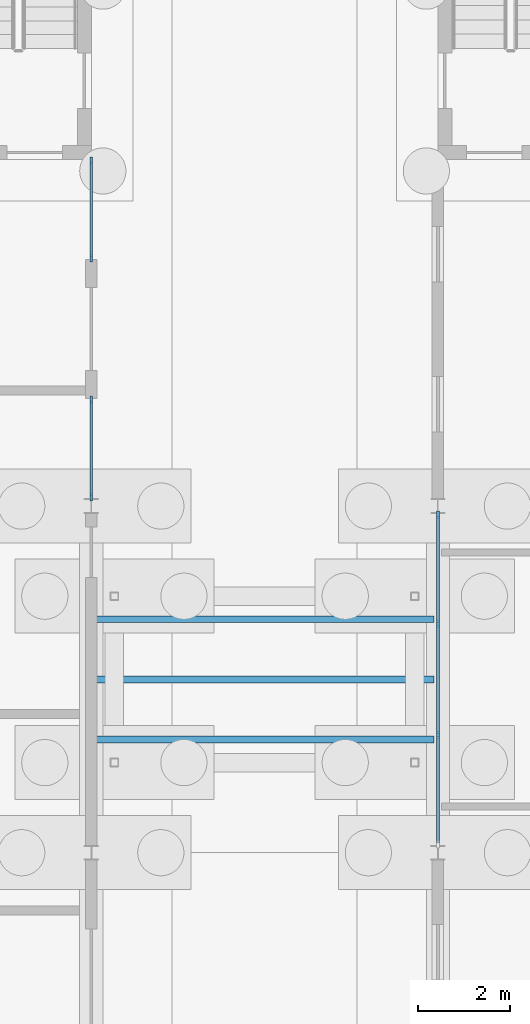
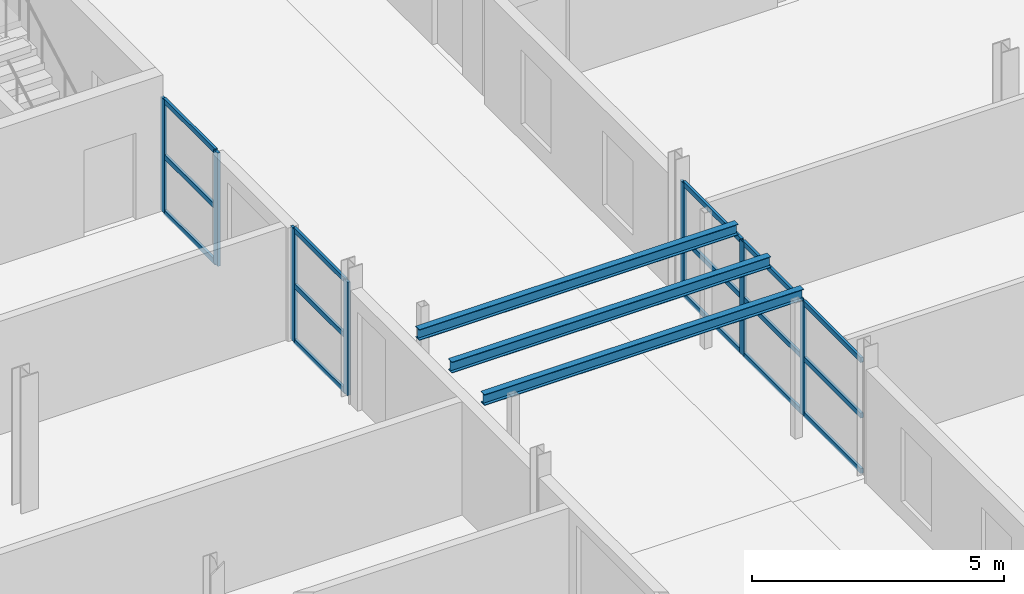
# One storey, part 57 of 130: 22 members, 3 beams, 3 elements without a shape of their own.
"""IFC4 building model written with IfcOpenShell, lengths in metres."""

import ifcopenshell
import ifcopenshell.guid

model = None  # the IFC model being written
_history = None  # IfcOwnerHistory: only IFC2X3 demands one
_inside = {}  # id of a spatial element -> (the spatial element, [elements in it])
_under = {}  # id of a project, library or spatial element -> (it, [spatial elements below it])
_declared = {}  # id of a project -> (the project, [libraries it declares])
_typed = {}  # id of a type object -> (the type object, [elements of that type])
_made_of = {}  # id of a material, layer set ... -> (it, [elements and type objects made of it])


def new_model(schema):
    """Start an empty IFC model of exactly this schema.

    Asked for "IFC4X3", IfcOpenShell would pick the latest addendum, in which some entities
    have other attributes; the version numbers below select the first issue.
    IFC2X3 requires an IfcOwnerHistory on every rooted entity: one is made here for all.
    """
    global model, _history
    if schema == "IFC4X3":
        model = ifcopenshell.file(schema_version=(4, 3, 0, 0))
    else:
        model = ifcopenshell.file(schema=schema)
    _inside.clear()
    _under.clear()
    _declared.clear()
    _typed.clear()
    _made_of.clear()
    _history = None
    if model.schema == "IFC2X3":
        org = make("IfcOrganization", Name="unknown")
        user = make(
            "IfcPersonAndOrganization",
            ThePerson=make("IfcPerson", FamilyName="unknown"),
            TheOrganization=org,
        )
        app = make(
            "IfcApplication",
            ApplicationDeveloper=org,
            Version="unknown",
            ApplicationFullName="unknown",
            ApplicationIdentifier="unknown",
        )
        _history = make(
            "IfcOwnerHistory",
            OwningUser=user,
            OwningApplication=app,
            ChangeAction="ADDED",
            CreationDate=0,
        )
    return model


def make(cls, **values):
    """One entity of the class cls with the attributes given. An attribute that is None is left unset."""
    return model.create_entity(
        cls, **{name: value for name, value in values.items() if value is not None}
    )


def rooted(cls, **values):
    """An entity with a GlobalId (a new one), such as an element, a storey or a relation."""
    return make(cls, GlobalId=ifcopenshell.guid.new(), OwnerHistory=_history, **values)


def si_unit(unit_type, name, prefix=None):
    """IfcSIUnit, for example si_unit("LENGTHUNIT", "METRE", prefix="MILLI")."""
    return make("IfcSIUnit", UnitType=unit_type, Prefix=prefix, Name=name)


def assignment(units):
    """IfcUnitAssignment: the units of a project."""
    return None if units is None else make("IfcUnitAssignment", Units=units)


def point(xyz):
    """IfcCartesianPoint."""
    return None if xyz is None else make("IfcCartesianPoint", Coordinates=xyz)


def direction(xyz):
    """IfcDirection."""
    return None if xyz is None else make("IfcDirection", DirectionRatios=xyz)


def frame(location, z_axis=None, x_axis=None):
    """IfcAxis2Placement3D, a coordinate frame: its origin and axes. An axis left out is left unset."""
    return make(
        "IfcAxis2Placement3D",
        Location=point(location),
        Axis=direction(z_axis),
        RefDirection=direction(x_axis),
    )


def frame_2d(location, x_axis=None):
    """IfcAxis2Placement2D, a coordinate frame in the plane: its origin and x axis."""
    return make(
        "IfcAxis2Placement2D", Location=point(location), RefDirection=direction(x_axis)
    )


def origin():
    """The frame at (0, 0, 0) with its axes left unset."""
    return frame((0.0, 0.0, 0.0))


def origin_2d():
    """The frame at (0, 0) in the plane with its x axis left unset."""
    return frame_2d((0.0, 0.0))


def place(relative_to, where):
    """IfcLocalPlacement: puts the frame where relative to a parent placement (None: the world)."""
    return make(
        "IfcLocalPlacement", PlacementRelTo=relative_to, RelativePlacement=where
    )


def context(
    kind, dimensions, precision=None, world=None, true_north=None, identifier=None
):
    """IfcGeometricRepresentationContext, for example the 3D "Model" context."""
    return make(
        "IfcGeometricRepresentationContext",
        ContextIdentifier=identifier,
        ContextType=kind,
        CoordinateSpaceDimension=dimensions,
        Precision=precision,
        WorldCoordinateSystem=world,
        TrueNorth=true_north,
    )


def subcontext(parent, identifier, kind, view, scale=None):
    """IfcGeometricRepresentationSubContext, for example "Body" below "Model"."""
    return make(
        "IfcGeometricRepresentationSubContext",
        ContextIdentifier=identifier,
        ContextType=kind,
        ParentContext=parent,
        TargetScale=scale,
        TargetView=view,
    )


def project(units=None, contexts=None):
    """IfcProject with its units and contexts."""
    return rooted(
        "IfcProject",
        Name="project",
        RepresentationContexts=contexts,
        UnitsInContext=assignment(units),
    )


def spatial(cls, under=None, at=None, **own):
    """A site, building, storey or space (cls), placed at a placement, below another one or the project."""
    s = rooted(cls, ObjectPlacement=at, **own)
    if under is not None:
        _under.setdefault(under.id(), (under, []))[1].append(s)
    return s


def profile(cls, at=None, kind="AREA", **sizes):
    """A parametric profile (cls). Its sizes go by their IFC names, for example OverallWidth=200.0."""
    return make(cls, ProfileType=kind, Position=at, **sizes)


def rectangle(**sizes):
    """IfcRectangleProfileDef."""
    return profile("IfcRectangleProfileDef", **sizes)


def i_section(**sizes):
    """IfcIShapeProfileDef."""
    return profile("IfcIShapeProfileDef", **sizes)


def extrude(swept, where, along, depth):
    """IfcExtrudedAreaSolid: the profile swept, set in the frame where, extruded along a direction by depth."""
    return make(
        "IfcExtrudedAreaSolid",
        SweptArea=swept,
        Position=where,
        ExtrudedDirection=direction(along),
        Depth=depth,
    )


def shape(context_of_items, identifier, shape_type, items):
    """IfcShapeRepresentation: the items that make up one representation, for example the "Body"."""
    return make(
        "IfcShapeRepresentation",
        ContextOfItems=context_of_items,
        RepresentationIdentifier=identifier,
        RepresentationType=shape_type,
        Items=items,
    )


def material(Name=None, Category=None):
    """IfcMaterial."""
    return make("IfcMaterial", Name=Name, Category=Category)


def material_profile(
    of_material, cross_section, Name=None, Category=None, Priority=None
):
    """IfcMaterialProfile: a cross section and its material."""
    return make(
        "IfcMaterialProfile",
        Name=Name,
        Material=of_material,
        Profile=cross_section,
        Priority=Priority,
        Category=Category,
    )


def profile_set(profiles, Name=None, composite=None):
    """IfcMaterialProfileSet."""
    return make(
        "IfcMaterialProfileSet",
        Name=Name,
        MaterialProfiles=profiles,
        CompositeProfile=composite,
    )


def made_of(thing, what):
    """Note that an element or type object is made of a material, layer set ...; save() writes the relation."""
    if what is not None:
        _made_of.setdefault(what.id(), (what, []))[1].append(thing)
    return thing


def type_object(cls, material=None, **own):
    """A type object (cls), such as IfcWallType, which elements share."""
    return made_of(rooted(cls, **own), material)


def element(
    cls,
    number,
    at=None,
    inside=None,
    cuts=None,
    type_object=None,
    material=None,
    context=None,
    identifier="Body",
    shape_type=None,
    held_by="IfcProductDefinitionShape",
    body=None,
    shapes=None,
    **own,
):
    """One element of the class cls, such as IfcWall. Its Tag is "e" and its number.

    at: its placement. inside: the storey or other place that contains it. cuts: it is an
    opening in that element (IfcRelVoidsElement). A single representation is given by context,
    identifier, shape_type and body (its items); several are given by shapes. held_by: the class
    of the entity that holds the representations. save() writes the other relations.
    """
    e = rooted(cls, Tag="e%d" % number, ObjectPlacement=at, **own)
    if body is not None:
        shapes = [shape(context, identifier, shape_type, body)]
    if shapes is not None:
        e.Representation = make(held_by, Representations=shapes)
    if inside is not None:
        _inside.setdefault(inside.id(), (inside, []))[1].append(e)
    if cuts is not None:
        rooted(
            "IfcRelVoidsElement", RelatingBuildingElement=cuts, RelatedOpeningElement=e
        )
    if type_object is not None:
        _typed.setdefault(type_object.id(), (type_object, []))[1].append(e)
    return made_of(e, material)


def aggregate(whole, parts):
    """IfcRelAggregates: a whole, such as a stair, and the parts it consists of."""
    return rooted("IfcRelAggregates", RelatingObject=whole, RelatedObjects=parts)


def save(model, path):
    """Write the relations noted so far, then the file.

    IfcRelAggregates (storeys below a building ...), IfcRelContainedInSpatialStructure (elements
    in a storey), IfcRelDefinesByType, IfcRelAssociatesMaterial and IfcRelDeclares: one each for
    every whole, place, type object, material and project.
    """
    for whole, parts in _under.values():
        aggregate(whole, parts)
    for where, things in _inside.values():
        rooted(
            "IfcRelContainedInSpatialStructure",
            RelatedElements=things,
            RelatingStructure=where,
        )
    for kind, things in _typed.values():
        rooted("IfcRelDefinesByType", RelatedObjects=things, RelatingType=kind)
    for what, things in _made_of.values():
        rooted("IfcRelAssociatesMaterial", RelatedObjects=things, RelatingMaterial=what)
    for by, libraries in _declared.values():
        rooted("IfcRelDeclares", RelatingContext=by, RelatedDefinitions=libraries)
    model.write(path)


model = new_model("IFC4")

# Units and contexts
model_context = context("Model", 3, precision=1e-05, world=origin(), true_north=direction((0.0, 1.0)))
body_context = subcontext(model_context, "Body", "Model", "MODEL_VIEW")
ifc_project = project(units=[si_unit("LENGTHUNIT", "METRE"), si_unit("AREAUNIT", "SQUARE_METRE"), si_unit("VOLUMEUNIT", "CUBIC_METRE"), si_unit("PLANEANGLEUNIT", "RADIAN"), si_unit("MASSUNIT", "GRAM", prefix="KILO")], contexts=[model_context])

# Site, building, storey
site_placement = place(None, origin())
site = spatial("IfcSite", under=ifc_project, at=site_placement, CompositionType="ELEMENT")
building_placement = place(site_placement, origin())
building = spatial("IfcBuilding", under=site, at=building_placement, Name="Parallax Yard Mobility Hub", CompositionType="ELEMENT")
storey_placement = place(building_placement, origin())
storey = spatial("IfcBuildingStorey", under=building, at=storey_placement, Name="L00", CompositionType="ELEMENT", Elevation=0.0)

# Beams
ifc_material_1 = material(Name="Steel ASTM A992", Category="steel")
ifc_material_profile_1 = material_profile(ifc_material_1, i_section(OverallWidth=0.14794921875, OverallDepth=0.26611328125, WebThickness=0.007568359375, FlangeThickness=0.012939453125, at=origin_2d()), Name="W250x45")
ifc_profile_set_1 = profile_set([ifc_material_profile_1], Name="Steel ASTM A992")
beam_type = type_object("IfcBeamType", Name="Bridge girder W250x45", PredefinedType="BEAM", material=ifc_profile_set_1)
for number, where, z_axis, x_axis, name in (
    (1, (142.589599609375, 32.449951171875, 3.027099609375), (1.0, 0.0, 0.0), (0.0, 1.0, 0.0), "Bridge BR2 level L01 girder 1"),
    (2, (142.589599609375, 33.75, 3.027099609375), (1.0, 0.0, 0.0), (0.0, 1.0, 0.0), "Bridge BR2 level L01 girder 2"),
    (3, (142.589599609375, 35.050048828125, 3.027099609375), (1.0, 0.0, 0.0), (0.0, 1.0, 0.0), "Bridge BR2 level L01 girder 3"),
):
    element("IfcBeam", number, at=place(storey_placement, frame(where, z_axis=z_axis, x_axis=x_axis)), inside=storey, type_object=beam_type, Name=name, PredefinedType="BEAM", context=body_context, shape_type="SweptSolid", body=[
        extrude(i_section(OverallWidth=0.14794921875, OverallDepth=0.26611328125, WebThickness=0.007568359375, FlangeThickness=0.012939453125, at=origin_2d()), origin(), (0.0, 0.0, 1.0), 7.32080078125),
    ])

# Curtain wall, members
ifc_material_2 = material(Name="Thermally broken aluminium curtain wall system", Category="aluminium")
curtain_wall_type = type_object("IfcCurtainWallType", Name="Curtain wall run 60 x 160 frame", PredefinedType="NOTDEFINED", material=ifc_material_2)
curtain_wall_1_placement = place(storey_placement, origin())
curtain_wall_1 = element("IfcCurtainWall", 4, at=curtain_wall_1_placement, inside=storey, type_object=curtain_wall_type, Name="Curtain wall run Bicycle and shared-mobility hall west bay 4 level L00", PredefinedType="NOTDEFINED")
ifc_material_3 = material(Name="Extruded aluminium", Category="aluminium")
ifc_material_profile_2 = material_profile(ifc_material_3, rectangle(XDim=0.06005859375, YDim=0.159912109375, at=origin_2d()), Name="Mullion 60 x 160")
ifc_profile_set_2 = profile_set([ifc_material_profile_2], Name="Extruded aluminium")
member_type_1 = type_object("IfcMemberType", Name="Mullion 60 x 160", PredefinedType="MULLION", material=ifc_profile_set_2)
member_1_placement = place(storey_placement, frame((150.0, 32.54931640625, 0.0), z_axis=(0.0, 0.0, 1.0), x_axis=(-1.0, 0.0, 0.0)))
member_1 = element("IfcMember", 5, at=member_1_placement, type_object=member_type_1, Name="CW1 mullion 2", PredefinedType="MULLION", context=body_context, shape_type="SweptSolid", body=[
    extrude(rectangle(XDim=0.06005859375, YDim=0.159912109375, at=origin_2d()), origin(), (0.0, 0.0, 1.0), 2.7509765625),
])
member_2_placement = place(storey_placement, frame((150.0, 34.945068359375, 0.0), z_axis=(0.0, 0.0, 1.0), x_axis=(-1.0, 0.0, 0.0)))
member_2 = element("IfcMember", 6, at=member_2_placement, type_object=member_type_1, Name="CW1 mullion 3", PredefinedType="MULLION", context=body_context, shape_type="SweptSolid", body=[
    extrude(rectangle(XDim=0.06005859375, YDim=0.159912109375, at=origin_2d()), origin(), (0.0, 0.0, 1.0), 2.7509765625),
])
member_3_placement = place(storey_placement, frame((150.0, 37.31103515625, 0.0), z_axis=(0.0, 0.0, 1.0), x_axis=(-1.0, 0.0, 0.0)))
member_3 = element("IfcMember", 7, at=member_3_placement, type_object=member_type_1, Name="CW1 mullion 4", PredefinedType="MULLION", context=body_context, shape_type="SweptSolid", body=[
    extrude(rectangle(XDim=0.06005859375, YDim=0.159912109375, at=origin_2d()), origin(), (0.0, 0.0, 1.0), 2.7509765625),
])

curtain_wall_2_placement = place(storey_placement, origin())
curtain_wall_2 = element("IfcCurtainWall", 8, at=curtain_wall_2_placement, inside=storey, type_object=curtain_wall_type, Name="Curtain wall run Mobility service centre and workshops east bay 5 level L00", PredefinedType="NOTDEFINED")
member_4_placement = place(storey_placement, frame((142.5, 37.69140625, 0.0), z_axis=(0.0, 0.0, 1.0), x_axis=(-1.0, 0.0, 0.0)))
member_4 = element("IfcMember", 9, at=member_4_placement, type_object=member_type_1, Name="CW1 mullion 1", PredefinedType="MULLION", context=body_context, shape_type="SweptSolid", body=[
    extrude(rectangle(XDim=0.06005859375, YDim=0.159912109375, at=origin_2d()), origin(), (0.0, 0.0, 1.0), 2.7509765625),
])
member_5_placement = place(storey_placement, frame((142.5, 39.80078125, 0.0), z_axis=(0.0, 0.0, 1.0), x_axis=(-1.0, 0.0, 0.0)))
member_5 = element("IfcMember", 10, at=member_5_placement, type_object=member_type_1, Name="CW1 mullion 2", PredefinedType="MULLION", context=body_context, shape_type="SweptSolid", body=[
    extrude(rectangle(XDim=0.06005859375, YDim=0.159912109375, at=origin_2d()), origin(), (0.0, 0.0, 1.0), 2.7509765625),
])

curtain_wall_3_placement = place(storey_placement, origin())
curtain_wall_3 = element("IfcCurtainWall", 11, at=curtain_wall_3_placement, inside=storey, type_object=curtain_wall_type, Name="Curtain wall run Mobility service centre and workshops east bay 5 level L00", PredefinedType="NOTDEFINED")
member_6_placement = place(storey_placement, frame((142.5, 42.86083984375, 0.0), z_axis=(0.0, 0.0, 1.0), x_axis=(-1.0, 0.0, 0.0)))
member_6 = element("IfcMember", 12, at=member_6_placement, type_object=member_type_1, Name="CW1 mullion 1", PredefinedType="MULLION", context=body_context, shape_type="SweptSolid", body=[
    extrude(rectangle(XDim=0.06005859375, YDim=0.159912109375, at=origin_2d()), origin(), (0.0, 0.0, 1.0), 2.7509765625),
])
member_7_placement = place(storey_placement, frame((142.5, 44.969970703125, 0.0), z_axis=(0.0, 0.0, 1.0), x_axis=(-1.0, 0.0, 0.0)))
member_7 = element("IfcMember", 13, at=member_7_placement, type_object=member_type_1, Name="CW1 mullion 2", PredefinedType="MULLION", context=body_context, shape_type="SweptSolid", body=[
    extrude(rectangle(XDim=0.06005859375, YDim=0.159912109375, at=origin_2d()), origin(), (0.0, 0.0, 1.0), 2.7509765625),
])

# Member
ifc_material_profile_3 = material_profile(ifc_material_3, rectangle(XDim=0.06005859375, YDim=0.1201171875, at=origin_2d()), Name="Transom 60 x 120")
ifc_profile_set_3 = profile_set([ifc_material_profile_3], Name="Extruded aluminium")
member_type_2 = type_object("IfcMemberType", Name="Transom 60 x 120", PredefinedType="USERDEFINED", material=ifc_profile_set_3)
member_8_placement = place(storey_placement, frame((150.0, 30.21337890625, 0.030029296875), z_axis=(0.0, 1.0, 0.0), x_axis=(-1.0, 0.0, 0.0)))
member_8 = element("IfcMember", 14, at=member_8_placement, type_object=member_type_2, Name="CW1 transom 1.1", ObjectType="TRANSOM", PredefinedType="USERDEFINED", context=body_context, shape_type="SweptSolid", body=[
    extrude(rectangle(XDim=0.06005859375, YDim=0.1201171875, at=origin_2d()), origin(), (0.0, 0.0, 1.0), 2.305908203125),
])

member_9_placement = place(storey_placement, frame((150.0, 30.21337890625, 1.37548828125), z_axis=(0.0, 1.0, 0.0), x_axis=(-1.0, 0.0, 0.0)))
member_9 = element("IfcMember", 15, at=member_9_placement, type_object=member_type_2, Name="CW1 transom 1.2", ObjectType="TRANSOM", PredefinedType="USERDEFINED", context=body_context, shape_type="SweptSolid", body=[
    extrude(rectangle(XDim=0.06005859375, YDim=0.1201171875, at=origin_2d()), origin(), (0.0, 0.0, 1.0), 2.305908203125),
])

member_10_placement = place(storey_placement, frame((150.0, 30.21337890625, 2.720947265625), z_axis=(0.0, 1.0, 0.0), x_axis=(-1.0, 0.0, 0.0)))
member_10 = element("IfcMember", 16, at=member_10_placement, type_object=member_type_2, Name="CW1 transom 1.3", ObjectType="TRANSOM", PredefinedType="USERDEFINED", context=body_context, shape_type="SweptSolid", body=[
    extrude(rectangle(XDim=0.06005859375, YDim=0.1201171875, at=origin_2d()), origin(), (0.0, 0.0, 1.0), 2.305908203125),
])

member_11_placement = place(storey_placement, frame((150.0, 32.579345703125, 0.030029296875), z_axis=(0.0, 1.0, 0.0), x_axis=(-1.0, 0.0, 0.0)))
member_11 = element("IfcMember", 17, at=member_11_placement, type_object=member_type_2, Name="CW1 transom 2.1", ObjectType="TRANSOM", PredefinedType="USERDEFINED", context=body_context, shape_type="SweptSolid", body=[
    extrude(rectangle(XDim=0.06005859375, YDim=0.1201171875, at=origin_2d()), origin(), (0.0, 0.0, 1.0), 2.3359375),
])

member_12_placement = place(storey_placement, frame((150.0, 32.579345703125, 1.37548828125), z_axis=(0.0, 1.0, 0.0), x_axis=(-1.0, 0.0, 0.0)))
member_12 = element("IfcMember", 18, at=member_12_placement, type_object=member_type_2, Name="CW1 transom 2.2", ObjectType="TRANSOM", PredefinedType="USERDEFINED", context=body_context, shape_type="SweptSolid", body=[
    extrude(rectangle(XDim=0.06005859375, YDim=0.1201171875, at=origin_2d()), origin(), (0.0, 0.0, 1.0), 2.3359375),
])

member_13_placement = place(storey_placement, frame((150.0, 32.579345703125, 2.720947265625), z_axis=(0.0, 1.0, 0.0), x_axis=(-1.0, 0.0, 0.0)))
member_13 = element("IfcMember", 19, at=member_13_placement, type_object=member_type_2, Name="CW1 transom 2.3", ObjectType="TRANSOM", PredefinedType="USERDEFINED", context=body_context, shape_type="SweptSolid", body=[
    extrude(rectangle(XDim=0.06005859375, YDim=0.1201171875, at=origin_2d()), origin(), (0.0, 0.0, 1.0), 2.3359375),
])

member_14_placement = place(storey_placement, frame((150.0, 34.97509765625, 0.030029296875), z_axis=(0.0, 1.0, 0.0), x_axis=(-1.0, 0.0, 0.0)))
member_14 = element("IfcMember", 20, at=member_14_placement, type_object=member_type_2, Name="CW1 transom 3.1", ObjectType="TRANSOM", PredefinedType="USERDEFINED", context=body_context, shape_type="SweptSolid", body=[
    extrude(rectangle(XDim=0.06005859375, YDim=0.1201171875, at=origin_2d()), origin(), (0.0, 0.0, 1.0), 2.305908203125),
])

member_15_placement = place(storey_placement, frame((150.0, 34.97509765625, 1.37548828125), z_axis=(0.0, 1.0, 0.0), x_axis=(-1.0, 0.0, 0.0)))
member_15 = element("IfcMember", 21, at=member_15_placement, type_object=member_type_2, Name="CW1 transom 3.2", ObjectType="TRANSOM", PredefinedType="USERDEFINED", context=body_context, shape_type="SweptSolid", body=[
    extrude(rectangle(XDim=0.06005859375, YDim=0.1201171875, at=origin_2d()), origin(), (0.0, 0.0, 1.0), 2.305908203125),
])

member_16_placement = place(storey_placement, frame((150.0, 34.97509765625, 2.720947265625), z_axis=(0.0, 1.0, 0.0), x_axis=(-1.0, 0.0, 0.0)))
member_16 = element("IfcMember", 22, at=member_16_placement, type_object=member_type_2, Name="CW1 transom 3.3", ObjectType="TRANSOM", PredefinedType="USERDEFINED", context=body_context, shape_type="SweptSolid", body=[
    extrude(rectangle(XDim=0.06005859375, YDim=0.1201171875, at=origin_2d()), origin(), (0.0, 0.0, 1.0), 2.305908203125),
])

aggregate(curtain_wall_1, [member_1, member_2, member_3, member_8, member_9, member_10, member_11, member_12, member_13, member_14, member_15, member_16])

member_17_placement = place(storey_placement, frame((142.5, 37.721435546875, 0.030029296875), z_axis=(0.0, 1.0, 0.0), x_axis=(-1.0, 0.0, 0.0)))
member_17 = element("IfcMember", 23, at=member_17_placement, type_object=member_type_2, Name="CW1 transom 1.1", ObjectType="TRANSOM", PredefinedType="USERDEFINED", context=body_context, shape_type="SweptSolid", body=[
    extrude(rectangle(XDim=0.06005859375, YDim=0.1201171875, at=origin_2d()), origin(), (0.0, 0.0, 1.0), 2.04931640625),
])

member_18_placement = place(storey_placement, frame((142.5, 37.721435546875, 1.37548828125), z_axis=(0.0, 1.0, 0.0), x_axis=(-1.0, 0.0, 0.0)))
member_18 = element("IfcMember", 24, at=member_18_placement, type_object=member_type_2, Name="CW1 transom 1.2", ObjectType="TRANSOM", PredefinedType="USERDEFINED", context=body_context, shape_type="SweptSolid", body=[
    extrude(rectangle(XDim=0.06005859375, YDim=0.1201171875, at=origin_2d()), origin(), (0.0, 0.0, 1.0), 2.04931640625),
])

member_19_placement = place(storey_placement, frame((142.5, 37.721435546875, 2.720947265625), z_axis=(0.0, 1.0, 0.0), x_axis=(-1.0, 0.0, 0.0)))
member_19 = element("IfcMember", 25, at=member_19_placement, type_object=member_type_2, Name="CW1 transom 1.3", ObjectType="TRANSOM", PredefinedType="USERDEFINED", context=body_context, shape_type="SweptSolid", body=[
    extrude(rectangle(XDim=0.06005859375, YDim=0.1201171875, at=origin_2d()), origin(), (0.0, 0.0, 1.0), 2.04931640625),
])

aggregate(curtain_wall_2, [member_4, member_5, member_17, member_18, member_19])

member_20_placement = place(storey_placement, frame((142.5, 42.890869140625, 0.030029296875), z_axis=(0.0, 1.0, 0.0), x_axis=(-1.0, 0.0, 0.0)))
member_20 = element("IfcMember", 26, at=member_20_placement, type_object=member_type_2, Name="CW1 transom 1.1", ObjectType="TRANSOM", PredefinedType="USERDEFINED", context=body_context, shape_type="SweptSolid", body=[
    extrude(rectangle(XDim=0.06005859375, YDim=0.1201171875, at=origin_2d()), origin(), (0.0, 0.0, 1.0), 2.049072265625),
])

member_21_placement = place(storey_placement, frame((142.5, 42.890869140625, 1.37548828125), z_axis=(0.0, 1.0, 0.0), x_axis=(-1.0, 0.0, 0.0)))
member_21 = element("IfcMember", 27, at=member_21_placement, type_object=member_type_2, Name="CW1 transom 1.2", ObjectType="TRANSOM", PredefinedType="USERDEFINED", context=body_context, shape_type="SweptSolid", body=[
    extrude(rectangle(XDim=0.06005859375, YDim=0.1201171875, at=origin_2d()), origin(), (0.0, 0.0, 1.0), 2.049072265625),
])

member_22_placement = place(storey_placement, frame((142.5, 42.890869140625, 2.720947265625), z_axis=(0.0, 1.0, 0.0), x_axis=(-1.0, 0.0, 0.0)))
member_22 = element("IfcMember", 28, at=member_22_placement, type_object=member_type_2, Name="CW1 transom 1.3", ObjectType="TRANSOM", PredefinedType="USERDEFINED", context=body_context, shape_type="SweptSolid", body=[
    extrude(rectangle(XDim=0.06005859375, YDim=0.1201171875, at=origin_2d()), origin(), (0.0, 0.0, 1.0), 2.049072265625),
])

aggregate(curtain_wall_3, [member_6, member_7, member_20, member_21, member_22])

save(model, "model.ifc")
